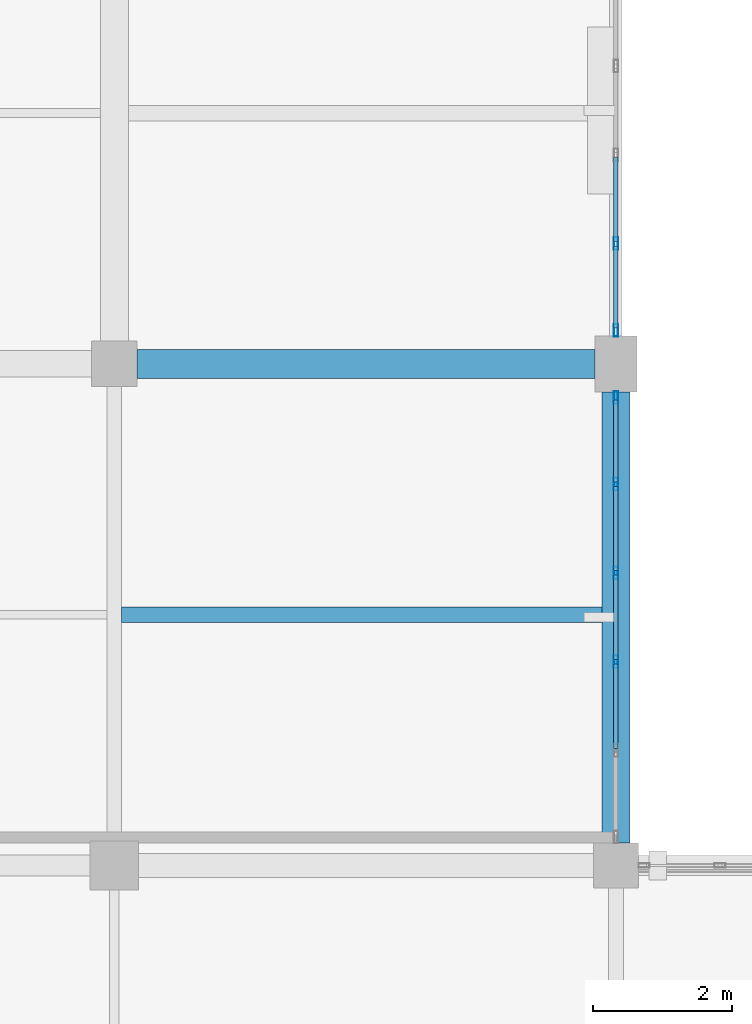
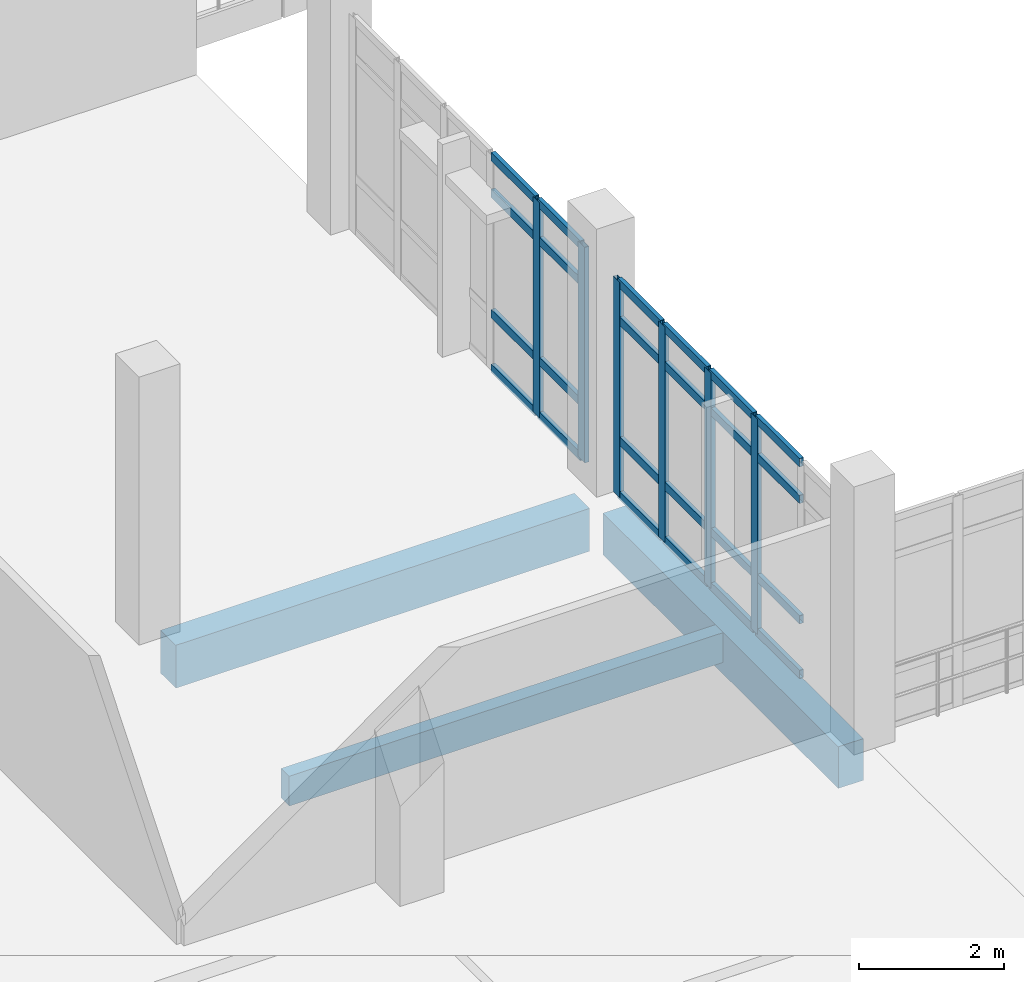
# One storey, part 19 of 116: 30 members, 3 beams, 2 elements without a shape of their own.
"""IFC4 building model written with IfcOpenShell, lengths in metres."""

from ifc_helpers import new_model, si_unit, direction, frame, origin, origin_2d, place, context, subcontext, project, spatial, rectangle, hollow_rectangle, extrude, material, material_profile, profile_set, type_object, element, aggregate, save


model = new_model("IFC4")

# Units and contexts
model_context = context("Model", 3, precision=1e-05, world=origin(), true_north=direction((0.0, 1.0)))
body_context = subcontext(model_context, "Body", "Model", "MODEL_VIEW")
ifc_project = project(units=[si_unit("LENGTHUNIT", "METRE"), si_unit("AREAUNIT", "SQUARE_METRE"), si_unit("VOLUMEUNIT", "CUBIC_METRE"), si_unit("PLANEANGLEUNIT", "RADIAN"), si_unit("MASSUNIT", "GRAM", prefix="KILO")], contexts=[model_context])

# Site, building, storey
site_placement = place(None, origin())
site = spatial("IfcSite", under=ifc_project, at=site_placement, CompositionType="ELEMENT")
building_placement = place(site_placement, origin())
building = spatial("IfcBuilding", under=site, at=building_placement, Name="Kalluvel Institute of Natural Sciences", CompositionType="ELEMENT")
storey_placement = place(building_placement, frame((0.0, 0.0, 14.39990234375)))
storey = spatial("IfcBuildingStorey", under=building, at=storey_placement, Name="L03", CompositionType="ELEMENT", Elevation=14.39990234375)

# Beams
ifc_material_1 = material(Name="Concrete M40", Category="concrete")
ifc_material_profile_1 = material_profile(ifc_material_1, rectangle(XDim=0.39990234375, YDim=0.699951171875, at=origin_2d()), Name="RCB 400x700")
ifc_profile_set_1 = profile_set([ifc_material_profile_1], Name="Concrete M40")
beam_type_1 = type_object("IfcBeamType", Name="BM-RC400x700", PredefinedType="BEAM", material=ifc_profile_set_1)
beam_1_placement = place(storey_placement, frame((35.60009765625, 35.925048828125, -0.64990234375), z_axis=(0.0, 1.0, 0.0), x_axis=(-1.0, 0.0, 0.0)))
element("IfcBeam", 1, at=beam_1_placement, inside=storey, type_object=beam_type_1, Name="L03 girder GIR-L03-NS-X356-Y356", PredefinedType="BEAM", context=body_context, shape_type="SweptSolid", body=[
    extrude(rectangle(XDim=0.39990234375, YDim=0.699951171875, at=origin_2d()), origin(), (0.0, 0.0, 1.0), 6.474853515625),
])
ifc_material_profile_2 = material_profile(ifc_material_1, rectangle(XDim=0.419921875, YDim=0.719970703125, at=origin_2d()), Name="RCB 420x720")
ifc_profile_set_2 = profile_set([ifc_material_profile_2], Name="Concrete M40")
beam_type_2 = type_object("IfcBeamType", Name="BM-RC420x720", PredefinedType="BEAM", material=ifc_profile_set_2)
beam_2_placement = place(storey_placement, frame((28.72509765625, 42.800048828125, -0.659912109375), z_axis=(1.0, 0.0, 0.0), x_axis=(0.0, 1.0, 0.0)))
element("IfcBeam", 2, at=beam_2_placement, inside=storey, type_object=beam_type_2, Name="L03 girder GIR-L03-EW-X284-Y428", PredefinedType="BEAM", context=body_context, shape_type="SweptSolid", body=[
    extrude(rectangle(XDim=0.419921875, YDim=0.719970703125, at=origin_2d()), origin(), (0.0, 0.0, 1.0), 6.574951171875),
])

# Curtain wall, members
ifc_material_2 = material(Name="Aluminium AW-6063 T6", Category="aluminium")
curtain_wall_type = type_object("IfcCurtainWallType", Name="CW-DRY-45", PredefinedType="USERDEFINED", material=ifc_material_2)
curtain_wall_1_placement = place(storey_placement, origin())
curtain_wall_1 = element("IfcCurtainWall", 3, at=curtain_wall_1_placement, inside=storey, type_object=curtain_wall_type, Name="L03 Gothic lancet curtain wall CWA-L03-X356-Y360", ObjectType="UNITISED LANCET FACADE", PredefinedType="USERDEFINED")
ifc_material_profile_3 = material_profile(ifc_material_2, hollow_rectangle(XDim=0.06494140625, YDim=0.179931640625, WallThickness=0.00439453125, at=origin_2d()), Name="CWM 65x180")
ifc_profile_set_3 = profile_set([ifc_material_profile_3], Name="Aluminium AW-6063 T6")
member_type_1 = type_object("IfcMemberType", Name="CWM-65x180", PredefinedType="MULLION", material=ifc_profile_set_3)
member_1_placement = place(storey_placement, frame((35.60009765625, 38.52490234375, 0.0), z_axis=(0.0, 0.0, 1.0), x_axis=(-1.0, 0.0, 0.0)))
member_1 = element("IfcMember", 4, at=member_1_placement, type_object=member_type_1, Name="CW-03 mullion 3", PredefinedType="MULLION", context=body_context, shape_type="SweptSolid", body=[
    extrude(hollow_rectangle(XDim=0.06494140625, YDim=0.179931640625, WallThickness=0.00439453125, at=origin_2d()), origin(), (0.0, 0.0, 1.0), 3.6201171875),
])
member_2_placement = place(storey_placement, frame((35.60009765625, 39.800048828125, 0.0), z_axis=(0.0, 0.0, 1.0), x_axis=(-1.0, 0.0, 0.0)))
member_2 = element("IfcMember", 5, at=member_2_placement, type_object=member_type_1, Name="CW-03 mullion 4", PredefinedType="MULLION", context=body_context, shape_type="SweptSolid", body=[
    extrude(hollow_rectangle(XDim=0.06494140625, YDim=0.179931640625, WallThickness=0.00439453125, at=origin_2d()), origin(), (0.0, 0.0, 1.0), 3.6201171875),
])
member_3_placement = place(storey_placement, frame((35.60009765625, 41.074951171875, 0.0), z_axis=(0.0, 0.0, 1.0), x_axis=(-1.0, 0.0, 0.0)))
member_3 = element("IfcMember", 6, at=member_3_placement, type_object=member_type_1, Name="CW-03 mullion 5", PredefinedType="MULLION", context=body_context, shape_type="SweptSolid", body=[
    extrude(hollow_rectangle(XDim=0.06494140625, YDim=0.179931640625, WallThickness=0.00439453125, at=origin_2d()), origin(), (0.0, 0.0, 1.0), 3.6201171875),
])
member_4_placement = place(storey_placement, frame((35.60009765625, 42.3173828125, 0.0), z_axis=(0.0, 0.0, 1.0), x_axis=(-1.0, 0.0, 0.0)))
member_4 = element("IfcMember", 7, at=member_4_placement, type_object=member_type_1, Name="CW-03 mullion 6", PredefinedType="MULLION", context=body_context, shape_type="SweptSolid", body=[
    extrude(hollow_rectangle(XDim=0.06494140625, YDim=0.179931640625, WallThickness=0.00439453125, at=origin_2d()), origin(), (0.0, 0.0, 1.0), 3.6201171875),
])

curtain_wall_2_placement = place(storey_placement, origin())
curtain_wall_2 = element("IfcCurtainWall", 8, at=curtain_wall_2_placement, inside=storey, type_object=curtain_wall_type, Name="L03 Gothic lancet curtain wall CWA-L03-X356-Y432", ObjectType="UNITISED LANCET FACADE", PredefinedType="USERDEFINED")
member_5_placement = place(storey_placement, frame((35.60009765625, 43.282470703125, 0.0), z_axis=(0.0, 0.0, 1.0), x_axis=(-1.0, 0.0, 0.0)))
member_5 = element("IfcMember", 9, at=member_5_placement, type_object=member_type_1, Name="CW-03 mullion 1", PredefinedType="MULLION", context=body_context, shape_type="SweptSolid", body=[
    extrude(hollow_rectangle(XDim=0.06494140625, YDim=0.179931640625, WallThickness=0.00439453125, at=origin_2d()), origin(), (0.0, 0.0, 1.0), 3.6201171875),
])
member_6_placement = place(storey_placement, frame((35.60009765625, 44.52490234375, 0.0), z_axis=(0.0, 0.0, 1.0), x_axis=(-1.0, 0.0, 0.0)))
member_6 = element("IfcMember", 10, at=member_6_placement, type_object=member_type_1, Name="CW-03 mullion 2", PredefinedType="MULLION", context=body_context, shape_type="SweptSolid", body=[
    extrude(hollow_rectangle(XDim=0.06494140625, YDim=0.179931640625, WallThickness=0.00439453125, at=origin_2d()), origin(), (0.0, 0.0, 1.0), 3.6201171875),
])

# Member
ifc_material_profile_4 = material_profile(ifc_material_2, hollow_rectangle(XDim=0.06494140625, YDim=0.139892578125, WallThickness=0.00439453125, at=origin_2d()), Name="CWT 65x140")
ifc_profile_set_4 = profile_set([ifc_material_profile_4], Name="Aluminium AW-6063 T6")
member_type_2 = type_object("IfcMemberType", Name="CWT-65x140", PredefinedType="USERDEFINED", material=ifc_profile_set_4)
member_7_placement = place(storey_placement, frame((35.60009765625, 37.282470703125, 0.03271484375), z_axis=(0.0, 1.0, 0.0), x_axis=(-1.0, 0.0, 0.0)))
member_7 = element("IfcMember", 11, at=member_7_placement, type_object=member_type_2, Name="CW-03 transom 2.1", ObjectType="TRANSOM", PredefinedType="USERDEFINED", context=body_context, shape_type="SweptSolid", body=[
    extrude(hollow_rectangle(XDim=0.06494140625, YDim=0.139892578125, WallThickness=0.00439453125, at=origin_2d()), origin(), (0.0, 0.0, 1.0), 1.2099609375),
])

member_8_placement = place(storey_placement, frame((35.60009765625, 37.282470703125, 0.9501953125), z_axis=(0.0, 1.0, 0.0), x_axis=(-1.0, 0.0, 0.0)))
member_8 = element("IfcMember", 12, at=member_8_placement, type_object=member_type_2, Name="CW-03 transom 2.2", ObjectType="TRANSOM", PredefinedType="USERDEFINED", context=body_context, shape_type="SweptSolid", body=[
    extrude(hollow_rectangle(XDim=0.06494140625, YDim=0.139892578125, WallThickness=0.00439453125, at=origin_2d()), origin(), (0.0, 0.0, 1.0), 1.2099609375),
])

member_9_placement = place(storey_placement, frame((35.60009765625, 37.282470703125, 2.97021484375), z_axis=(0.0, 1.0, 0.0), x_axis=(-1.0, 0.0, 0.0)))
member_9 = element("IfcMember", 13, at=member_9_placement, type_object=member_type_2, Name="CW-03 transom 2.3", ObjectType="TRANSOM", PredefinedType="USERDEFINED", context=body_context, shape_type="SweptSolid", body=[
    extrude(hollow_rectangle(XDim=0.06494140625, YDim=0.139892578125, WallThickness=0.00439453125, at=origin_2d()), origin(), (0.0, 0.0, 1.0), 1.2099609375),
])

member_10_placement = place(storey_placement, frame((35.60009765625, 37.282470703125, 3.587646484375), z_axis=(0.0, 1.0, 0.0), x_axis=(-1.0, 0.0, 0.0)))
member_10 = element("IfcMember", 14, at=member_10_placement, type_object=member_type_2, Name="CW-03 transom 2.4", ObjectType="TRANSOM", PredefinedType="USERDEFINED", context=body_context, shape_type="SweptSolid", body=[
    extrude(hollow_rectangle(XDim=0.06494140625, YDim=0.139892578125, WallThickness=0.00439453125, at=origin_2d()), origin(), (0.0, 0.0, 1.0), 1.2099609375),
])

member_11_placement = place(storey_placement, frame((35.60009765625, 38.5576171875, 0.03271484375), z_axis=(0.0, 1.0, 0.0), x_axis=(-1.0, 0.0, 0.0)))
member_11 = element("IfcMember", 15, at=member_11_placement, type_object=member_type_2, Name="CW-03 transom 3.1", ObjectType="TRANSOM", PredefinedType="USERDEFINED", context=body_context, shape_type="SweptSolid", body=[
    extrude(hollow_rectangle(XDim=0.06494140625, YDim=0.139892578125, WallThickness=0.00439453125, at=origin_2d()), origin(), (0.0, 0.0, 1.0), 1.2099609375),
])

member_12_placement = place(storey_placement, frame((35.60009765625, 38.5576171875, 0.9501953125), z_axis=(0.0, 1.0, 0.0), x_axis=(-1.0, 0.0, 0.0)))
member_12 = element("IfcMember", 16, at=member_12_placement, type_object=member_type_2, Name="CW-03 transom 3.2", ObjectType="TRANSOM", PredefinedType="USERDEFINED", context=body_context, shape_type="SweptSolid", body=[
    extrude(hollow_rectangle(XDim=0.06494140625, YDim=0.139892578125, WallThickness=0.00439453125, at=origin_2d()), origin(), (0.0, 0.0, 1.0), 1.2099609375),
])

member_13_placement = place(storey_placement, frame((35.60009765625, 38.5576171875, 2.97021484375), z_axis=(0.0, 1.0, 0.0), x_axis=(-1.0, 0.0, 0.0)))
member_13 = element("IfcMember", 17, at=member_13_placement, type_object=member_type_2, Name="CW-03 transom 3.3", ObjectType="TRANSOM", PredefinedType="USERDEFINED", context=body_context, shape_type="SweptSolid", body=[
    extrude(hollow_rectangle(XDim=0.06494140625, YDim=0.139892578125, WallThickness=0.00439453125, at=origin_2d()), origin(), (0.0, 0.0, 1.0), 1.2099609375),
])

member_14_placement = place(storey_placement, frame((35.60009765625, 38.5576171875, 3.587646484375), z_axis=(0.0, 1.0, 0.0), x_axis=(-1.0, 0.0, 0.0)))
member_14 = element("IfcMember", 18, at=member_14_placement, type_object=member_type_2, Name="CW-03 transom 3.4", ObjectType="TRANSOM", PredefinedType="USERDEFINED", context=body_context, shape_type="SweptSolid", body=[
    extrude(hollow_rectangle(XDim=0.06494140625, YDim=0.139892578125, WallThickness=0.00439453125, at=origin_2d()), origin(), (0.0, 0.0, 1.0), 1.2099609375),
])

member_15_placement = place(storey_placement, frame((35.60009765625, 39.83251953125, 0.03271484375), z_axis=(0.0, 1.0, 0.0), x_axis=(-1.0, 0.0, 0.0)))
member_15 = element("IfcMember", 19, at=member_15_placement, type_object=member_type_2, Name="CW-03 transom 4.1", ObjectType="TRANSOM", PredefinedType="USERDEFINED", context=body_context, shape_type="SweptSolid", body=[
    extrude(hollow_rectangle(XDim=0.06494140625, YDim=0.139892578125, WallThickness=0.00439453125, at=origin_2d()), origin(), (0.0, 0.0, 1.0), 1.2099609375),
])

member_16_placement = place(storey_placement, frame((35.60009765625, 39.83251953125, 0.9501953125), z_axis=(0.0, 1.0, 0.0), x_axis=(-1.0, 0.0, 0.0)))
member_16 = element("IfcMember", 20, at=member_16_placement, type_object=member_type_2, Name="CW-03 transom 4.2", ObjectType="TRANSOM", PredefinedType="USERDEFINED", context=body_context, shape_type="SweptSolid", body=[
    extrude(hollow_rectangle(XDim=0.06494140625, YDim=0.139892578125, WallThickness=0.00439453125, at=origin_2d()), origin(), (0.0, 0.0, 1.0), 1.2099609375),
])

member_17_placement = place(storey_placement, frame((35.60009765625, 39.83251953125, 2.97021484375), z_axis=(0.0, 1.0, 0.0), x_axis=(-1.0, 0.0, 0.0)))
member_17 = element("IfcMember", 21, at=member_17_placement, type_object=member_type_2, Name="CW-03 transom 4.3", ObjectType="TRANSOM", PredefinedType="USERDEFINED", context=body_context, shape_type="SweptSolid", body=[
    extrude(hollow_rectangle(XDim=0.06494140625, YDim=0.139892578125, WallThickness=0.00439453125, at=origin_2d()), origin(), (0.0, 0.0, 1.0), 1.2099609375),
])

member_18_placement = place(storey_placement, frame((35.60009765625, 39.83251953125, 3.587646484375), z_axis=(0.0, 1.0, 0.0), x_axis=(-1.0, 0.0, 0.0)))
member_18 = element("IfcMember", 22, at=member_18_placement, type_object=member_type_2, Name="CW-03 transom 4.4", ObjectType="TRANSOM", PredefinedType="USERDEFINED", context=body_context, shape_type="SweptSolid", body=[
    extrude(hollow_rectangle(XDim=0.06494140625, YDim=0.139892578125, WallThickness=0.00439453125, at=origin_2d()), origin(), (0.0, 0.0, 1.0), 1.2099609375),
])

member_19_placement = place(storey_placement, frame((35.60009765625, 41.107421875, 0.03271484375), z_axis=(0.0, 1.0, 0.0), x_axis=(-1.0, 0.0, 0.0)))
member_19 = element("IfcMember", 23, at=member_19_placement, type_object=member_type_2, Name="CW-03 transom 5.1", ObjectType="TRANSOM", PredefinedType="USERDEFINED", context=body_context, shape_type="SweptSolid", body=[
    extrude(hollow_rectangle(XDim=0.06494140625, YDim=0.139892578125, WallThickness=0.00439453125, at=origin_2d()), origin(), (0.0, 0.0, 1.0), 1.177490234375),
])

member_20_placement = place(storey_placement, frame((35.60009765625, 41.107421875, 0.9501953125), z_axis=(0.0, 1.0, 0.0), x_axis=(-1.0, 0.0, 0.0)))
member_20 = element("IfcMember", 24, at=member_20_placement, type_object=member_type_2, Name="CW-03 transom 5.2", ObjectType="TRANSOM", PredefinedType="USERDEFINED", context=body_context, shape_type="SweptSolid", body=[
    extrude(hollow_rectangle(XDim=0.06494140625, YDim=0.139892578125, WallThickness=0.00439453125, at=origin_2d()), origin(), (0.0, 0.0, 1.0), 1.177490234375),
])

member_21_placement = place(storey_placement, frame((35.60009765625, 41.107421875, 2.97021484375), z_axis=(0.0, 1.0, 0.0), x_axis=(-1.0, 0.0, 0.0)))
member_21 = element("IfcMember", 25, at=member_21_placement, type_object=member_type_2, Name="CW-03 transom 5.3", ObjectType="TRANSOM", PredefinedType="USERDEFINED", context=body_context, shape_type="SweptSolid", body=[
    extrude(hollow_rectangle(XDim=0.06494140625, YDim=0.139892578125, WallThickness=0.00439453125, at=origin_2d()), origin(), (0.0, 0.0, 1.0), 1.177490234375),
])

member_22_placement = place(storey_placement, frame((35.60009765625, 41.107421875, 3.587646484375), z_axis=(0.0, 1.0, 0.0), x_axis=(-1.0, 0.0, 0.0)))
member_22 = element("IfcMember", 26, at=member_22_placement, type_object=member_type_2, Name="CW-03 transom 5.4", ObjectType="TRANSOM", PredefinedType="USERDEFINED", context=body_context, shape_type="SweptSolid", body=[
    extrude(hollow_rectangle(XDim=0.06494140625, YDim=0.139892578125, WallThickness=0.00439453125, at=origin_2d()), origin(), (0.0, 0.0, 1.0), 1.177490234375),
])

aggregate(curtain_wall_1, [member_1, member_2, member_3, member_4, member_7, member_8, member_9, member_10, member_11, member_12, member_13, member_14, member_15, member_16, member_17, member_18, member_19, member_20, member_21, member_22])

member_23_placement = place(storey_placement, frame((35.60009765625, 43.31494140625, 0.03271484375), z_axis=(0.0, 1.0, 0.0), x_axis=(-1.0, 0.0, 0.0)))
member_23 = element("IfcMember", 27, at=member_23_placement, type_object=member_type_2, Name="CW-03 transom 1.1", ObjectType="TRANSOM", PredefinedType="USERDEFINED", context=body_context, shape_type="SweptSolid", body=[
    extrude(hollow_rectangle(XDim=0.06494140625, YDim=0.139892578125, WallThickness=0.00439453125, at=origin_2d()), origin(), (0.0, 0.0, 1.0), 1.177490234375),
])

member_24_placement = place(storey_placement, frame((35.60009765625, 43.31494140625, 0.9501953125), z_axis=(0.0, 1.0, 0.0), x_axis=(-1.0, 0.0, 0.0)))
member_24 = element("IfcMember", 28, at=member_24_placement, type_object=member_type_2, Name="CW-03 transom 1.2", ObjectType="TRANSOM", PredefinedType="USERDEFINED", context=body_context, shape_type="SweptSolid", body=[
    extrude(hollow_rectangle(XDim=0.06494140625, YDim=0.139892578125, WallThickness=0.00439453125, at=origin_2d()), origin(), (0.0, 0.0, 1.0), 1.177490234375),
])

member_25_placement = place(storey_placement, frame((35.60009765625, 43.31494140625, 2.97021484375), z_axis=(0.0, 1.0, 0.0), x_axis=(-1.0, 0.0, 0.0)))
member_25 = element("IfcMember", 29, at=member_25_placement, type_object=member_type_2, Name="CW-03 transom 1.3", ObjectType="TRANSOM", PredefinedType="USERDEFINED", context=body_context, shape_type="SweptSolid", body=[
    extrude(hollow_rectangle(XDim=0.06494140625, YDim=0.139892578125, WallThickness=0.00439453125, at=origin_2d()), origin(), (0.0, 0.0, 1.0), 1.177490234375),
])

member_26_placement = place(storey_placement, frame((35.60009765625, 43.31494140625, 3.587646484375), z_axis=(0.0, 1.0, 0.0), x_axis=(-1.0, 0.0, 0.0)))
member_26 = element("IfcMember", 30, at=member_26_placement, type_object=member_type_2, Name="CW-03 transom 1.4", ObjectType="TRANSOM", PredefinedType="USERDEFINED", context=body_context, shape_type="SweptSolid", body=[
    extrude(hollow_rectangle(XDim=0.06494140625, YDim=0.139892578125, WallThickness=0.00439453125, at=origin_2d()), origin(), (0.0, 0.0, 1.0), 1.177490234375),
])

member_27_placement = place(storey_placement, frame((35.60009765625, 44.5576171875, 0.03271484375), z_axis=(0.0, 1.0, 0.0), x_axis=(-1.0, 0.0, 0.0)))
member_27 = element("IfcMember", 31, at=member_27_placement, type_object=member_type_2, Name="CW-03 transom 2.1", ObjectType="TRANSOM", PredefinedType="USERDEFINED", context=body_context, shape_type="SweptSolid", body=[
    extrude(hollow_rectangle(XDim=0.06494140625, YDim=0.139892578125, WallThickness=0.00439453125, at=origin_2d()), origin(), (0.0, 0.0, 1.0), 1.2099609375),
])

member_28_placement = place(storey_placement, frame((35.60009765625, 44.5576171875, 0.9501953125), z_axis=(0.0, 1.0, 0.0), x_axis=(-1.0, 0.0, 0.0)))
member_28 = element("IfcMember", 32, at=member_28_placement, type_object=member_type_2, Name="CW-03 transom 2.2", ObjectType="TRANSOM", PredefinedType="USERDEFINED", context=body_context, shape_type="SweptSolid", body=[
    extrude(hollow_rectangle(XDim=0.06494140625, YDim=0.139892578125, WallThickness=0.00439453125, at=origin_2d()), origin(), (0.0, 0.0, 1.0), 1.2099609375),
])

member_29_placement = place(storey_placement, frame((35.60009765625, 44.5576171875, 2.97021484375), z_axis=(0.0, 1.0, 0.0), x_axis=(-1.0, 0.0, 0.0)))
member_29 = element("IfcMember", 33, at=member_29_placement, type_object=member_type_2, Name="CW-03 transom 2.3", ObjectType="TRANSOM", PredefinedType="USERDEFINED", context=body_context, shape_type="SweptSolid", body=[
    extrude(hollow_rectangle(XDim=0.06494140625, YDim=0.139892578125, WallThickness=0.00439453125, at=origin_2d()), origin(), (0.0, 0.0, 1.0), 1.2099609375),
])

member_30_placement = place(storey_placement, frame((35.60009765625, 44.5576171875, 3.587646484375), z_axis=(0.0, 1.0, 0.0), x_axis=(-1.0, 0.0, 0.0)))
member_30 = element("IfcMember", 34, at=member_30_placement, type_object=member_type_2, Name="CW-03 transom 2.4", ObjectType="TRANSOM", PredefinedType="USERDEFINED", context=body_context, shape_type="SweptSolid", body=[
    extrude(hollow_rectangle(XDim=0.06494140625, YDim=0.139892578125, WallThickness=0.00439453125, at=origin_2d()), origin(), (0.0, 0.0, 1.0), 1.2099609375),
])

aggregate(curtain_wall_2, [member_5, member_6, member_23, member_24, member_25, member_26, member_27, member_28, member_29, member_30])

# Beam
ifc_material_profile_5 = material_profile(ifc_material_1, rectangle(XDim=0.219970703125, YDim=0.5, at=origin_2d()), Name="WAF 220x500")
ifc_profile_set_5 = profile_set([ifc_material_profile_5], Name="Concrete M40")
beam_type_3 = type_object("IfcBeamType", Name="WJ-220x500", PredefinedType="JOIST", material=ifc_profile_set_5)
beam_3_placement = place(storey_placement, frame((28.5048828125, 39.199951171875, -0.5498046875), z_axis=(1.0, 0.0, 0.0), x_axis=(0.0, 1.0, 0.0)))
element("IfcBeam", 35, at=beam_3_placement, inside=storey, type_object=beam_type_3, Name="L03 floor rib RIB-L03-0690", PredefinedType="JOIST", context=body_context, shape_type="SweptSolid", body=[
    extrude(rectangle(XDim=0.219970703125, YDim=0.5, at=origin_2d()), origin(), (0.0, 0.0, 1.0), 6.89501953125),
])

save(model, "model.ifc")
